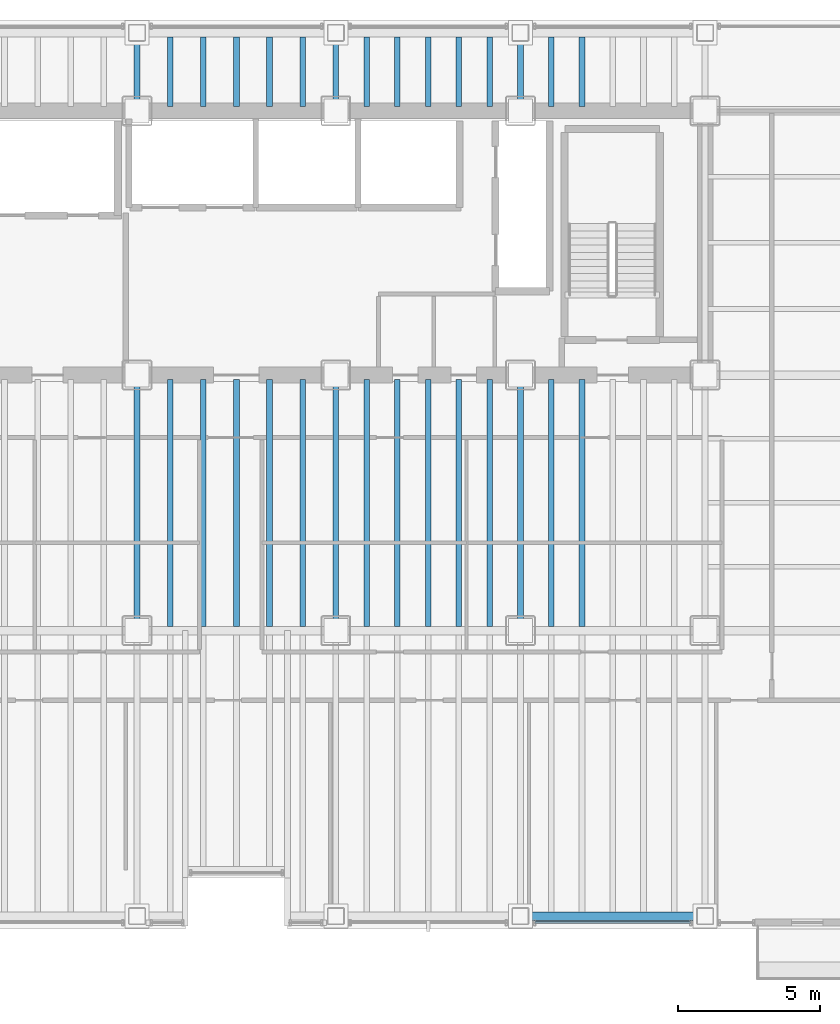
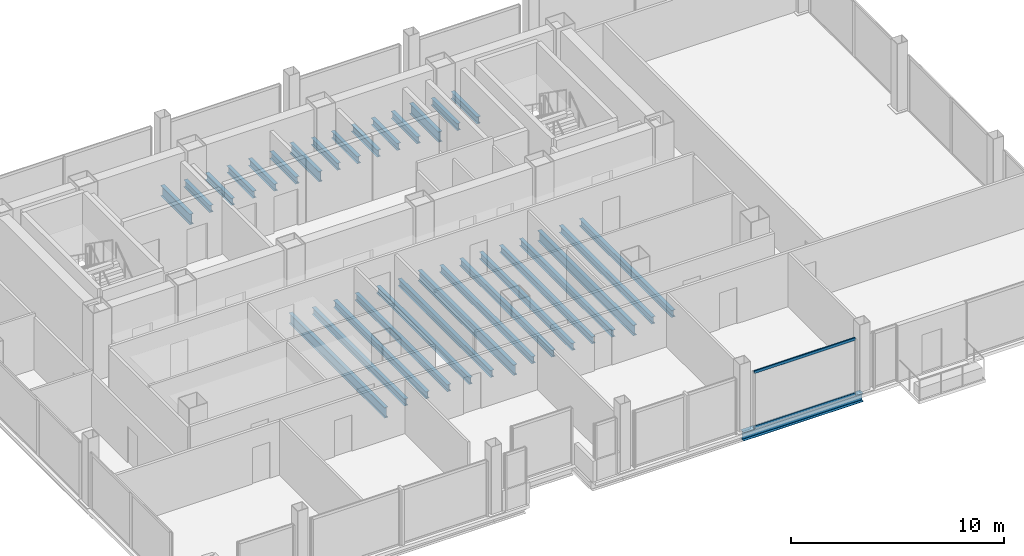
# One storey, part 8 of 22: 31 beams, 2 members, 1 element without a shape of its own.
"""IFC4 building model written with IfcOpenShell, lengths in metres."""

from ifc_helpers import new_model, si_unit, direction, frame, origin, origin_2d, place, context, subcontext, project, spatial, hollow_rectangle, i_section, extrude, material, material_profile, profile_set, type_object, element, aggregate, save


model = new_model("IFC4")

# Units and contexts
model_context = context("Model", 3, precision=1e-05, world=origin(), true_north=direction((0.0, 1.0)))
body_context = subcontext(model_context, "Body", "Model", "MODEL_VIEW")
ifc_project = project(units=[si_unit("LENGTHUNIT", "METRE"), si_unit("AREAUNIT", "SQUARE_METRE"), si_unit("VOLUMEUNIT", "CUBIC_METRE"), si_unit("PLANEANGLEUNIT", "RADIAN"), si_unit("MASSUNIT", "GRAM", prefix="KILO")], contexts=[model_context])

# Site, building, storey
site_placement = place(None, origin())
site = spatial("IfcSite", under=ifc_project, at=site_placement, CompositionType="ELEMENT")
building_placement = place(site_placement, origin())
building = spatial("IfcBuilding", under=site, at=building_placement, Name="Noeulbin Bourse Tower", CompositionType="ELEMENT")
storey_placement = place(building_placement, frame((0.0, 0.0, 85.0)))
storey = spatial("IfcBuildingStorey", under=building, at=storey_placement, Name="L21", CompositionType="ELEMENT", Elevation=85.0)

# Beams
ifc_material_1 = material(Name="Steel S355", Category="steel")
ifc_material_profile_1 = material_profile(ifc_material_1, i_section(OverallWidth=0.199951171875, OverallDepth=0.60009765625, WebThickness=0.010986328125, FlangeThickness=0.01708984375, FilletRadius=0.02197265625, at=origin_2d()), Name="H-600x200x11x17", Category="LoadBearing")
ifc_profile_set_1 = profile_set([ifc_material_profile_1], Name="Steel S355")
beam_type_1 = type_object("IfcBeamType", Name="BM-GRD-600", PredefinedType="USERDEFINED", material=ifc_profile_set_1)
beam_1_placement = place(storey_placement, frame((24.0, 20.0, -0.47998046875), z_axis=(0.0, 1.0, 0.0), x_axis=(-1.0, 0.0, 0.0)))
element("IfcBeam", 1, at=beam_1_placement, inside=storey, type_object=beam_type_1, Name="Tower Primary Girder NS L21-2.2", ObjectType="GIRDER", PredefinedType="USERDEFINED", context=body_context, shape_type="SweptSolid", body=[
    extrude(i_section(OverallWidth=0.199951171875, OverallDepth=0.60009765625, WebThickness=0.010986328125, FlangeThickness=0.01708984375, FilletRadius=0.02197265625, at=origin_2d()), origin(), (0.0, 0.0, 1.0), 9.0),
])
beam_2_placement = place(storey_placement, frame((24.0, 38.300048828125, -0.47998046875), z_axis=(0.0, 1.0, 0.0), x_axis=(-1.0, 0.0, 0.0)))
element("IfcBeam", 2, at=beam_2_placement, inside=storey, type_object=beam_type_1, Name="Tower Primary Girder NS L21-2.4", ObjectType="GIRDER", PredefinedType="USERDEFINED", context=body_context, shape_type="SweptSolid", body=[
    extrude(i_section(OverallWidth=0.199951171875, OverallDepth=0.60009765625, WebThickness=0.010986328125, FlangeThickness=0.01708984375, FilletRadius=0.02197265625, at=origin_2d()), origin(), (0.0, 0.0, 1.0), 2.75),
])
beam_3_placement = place(storey_placement, frame((31.0, 20.0, -0.47998046875), z_axis=(0.0, 1.0, 0.0), x_axis=(-1.0, 0.0, 0.0)))
element("IfcBeam", 3, at=beam_3_placement, inside=storey, type_object=beam_type_1, Name="Tower Primary Girder NS L21-3.2", ObjectType="GIRDER", PredefinedType="USERDEFINED", context=body_context, shape_type="SweptSolid", body=[
    extrude(i_section(OverallWidth=0.199951171875, OverallDepth=0.60009765625, WebThickness=0.010986328125, FlangeThickness=0.01708984375, FilletRadius=0.02197265625, at=origin_2d()), origin(), (0.0, 0.0, 1.0), 9.0),
])
beam_4_placement = place(storey_placement, frame((31.0, 38.300048828125, -0.47998046875), z_axis=(0.0, 1.0, 0.0), x_axis=(-1.0, 0.0, 0.0)))
element("IfcBeam", 4, at=beam_4_placement, inside=storey, type_object=beam_type_1, Name="Tower Primary Girder NS L21-3.4", ObjectType="GIRDER", PredefinedType="USERDEFINED", context=body_context, shape_type="SweptSolid", body=[
    extrude(i_section(OverallWidth=0.199951171875, OverallDepth=0.60009765625, WebThickness=0.010986328125, FlangeThickness=0.01708984375, FilletRadius=0.02197265625, at=origin_2d()), origin(), (0.0, 0.0, 1.0), 2.75),
])
beam_5_placement = place(storey_placement, frame((37.5, 20.0, -0.47998046875), z_axis=(0.0, 1.0, 0.0), x_axis=(-1.0, 0.0, 0.0)))
element("IfcBeam", 5, at=beam_5_placement, inside=storey, type_object=beam_type_1, Name="Tower Primary Girder NS L21-4.2", ObjectType="GIRDER", PredefinedType="USERDEFINED", context=body_context, shape_type="SweptSolid", body=[
    extrude(i_section(OverallWidth=0.199951171875, OverallDepth=0.60009765625, WebThickness=0.010986328125, FlangeThickness=0.01708984375, FilletRadius=0.02197265625, at=origin_2d()), origin(), (0.0, 0.0, 1.0), 9.0),
])
beam_6_placement = place(storey_placement, frame((37.5, 38.300048828125, -0.47998046875), z_axis=(0.0, 1.0, 0.0), x_axis=(-1.0, 0.0, 0.0)))
element("IfcBeam", 6, at=beam_6_placement, inside=storey, type_object=beam_type_1, Name="Tower Primary Girder NS L21-4.4", ObjectType="GIRDER", PredefinedType="USERDEFINED", context=body_context, shape_type="SweptSolid", body=[
    extrude(i_section(OverallWidth=0.199951171875, OverallDepth=0.60009765625, WebThickness=0.010986328125, FlangeThickness=0.01708984375, FilletRadius=0.02197265625, at=origin_2d()), origin(), (0.0, 0.0, 1.0), 2.75),
])
ifc_material_profile_2 = material_profile(ifc_material_1, i_section(OverallWidth=0.199951171875, OverallDepth=0.39990234375, WebThickness=0.008056640625, FlangeThickness=0.012939453125, FilletRadius=0.01611328125, at=origin_2d()), Name="H-400x200x8x13", Category="LoadBearing")
ifc_profile_set_2 = profile_set([ifc_material_profile_2], Name="Steel S355")
beam_type_2 = type_object("IfcBeamType", Name="BM-SEC-400", PredefinedType="BEAM", material=ifc_profile_set_2)
beam_7_placement = place(storey_placement, frame((25.166748046875, 20.14990234375, -0.3798828125), z_axis=(0.0, 1.0, 0.0), x_axis=(-1.0, 0.0, 0.0)))
element("IfcBeam", 7, at=beam_7_placement, inside=storey, type_object=beam_type_2, Name="Tower Composite Joist L21-26", PredefinedType="BEAM", context=body_context, shape_type="SweptSolid", body=[
    extrude(i_section(OverallWidth=0.199951171875, OverallDepth=0.39990234375, WebThickness=0.008056640625, FlangeThickness=0.012939453125, FilletRadius=0.01611328125, at=origin_2d()), origin(), (0.0, 0.0, 1.0), 8.7001953125),
])
beam_8_placement = place(storey_placement, frame((25.166748046875, 38.449951171875, -0.3798828125), z_axis=(0.0, 1.0, 0.0), x_axis=(-1.0, 0.0, 0.0)))
element("IfcBeam", 8, at=beam_8_placement, inside=storey, type_object=beam_type_2, Name="Tower Composite Joist L21-27", PredefinedType="BEAM", context=body_context, shape_type="SweptSolid", body=[
    extrude(i_section(OverallWidth=0.199951171875, OverallDepth=0.39990234375, WebThickness=0.008056640625, FlangeThickness=0.012939453125, FilletRadius=0.01611328125, at=origin_2d()), origin(), (0.0, 0.0, 1.0), 2.449951171875),
])
beam_9_placement = place(storey_placement, frame((26.333251953125, 20.14990234375, -0.3798828125), z_axis=(0.0, 1.0, 0.0), x_axis=(-1.0, 0.0, 0.0)))
element("IfcBeam", 9, at=beam_9_placement, inside=storey, type_object=beam_type_2, Name="Tower Composite Joist L21-29", PredefinedType="BEAM", context=body_context, shape_type="SweptSolid", body=[
    extrude(i_section(OverallWidth=0.199951171875, OverallDepth=0.39990234375, WebThickness=0.008056640625, FlangeThickness=0.012939453125, FilletRadius=0.01611328125, at=origin_2d()), origin(), (0.0, 0.0, 1.0), 8.7001953125),
])
beam_10_placement = place(storey_placement, frame((26.333251953125, 38.449951171875, -0.3798828125), z_axis=(0.0, 1.0, 0.0), x_axis=(-1.0, 0.0, 0.0)))
element("IfcBeam", 10, at=beam_10_placement, inside=storey, type_object=beam_type_2, Name="Tower Composite Joist L21-30", PredefinedType="BEAM", context=body_context, shape_type="SweptSolid", body=[
    extrude(i_section(OverallWidth=0.199951171875, OverallDepth=0.39990234375, WebThickness=0.008056640625, FlangeThickness=0.012939453125, FilletRadius=0.01611328125, at=origin_2d()), origin(), (0.0, 0.0, 1.0), 2.449951171875),
])
beam_11_placement = place(storey_placement, frame((27.5, 20.14990234375, -0.3798828125), z_axis=(0.0, 1.0, 0.0), x_axis=(-1.0, 0.0, 0.0)))
element("IfcBeam", 11, at=beam_11_placement, inside=storey, type_object=beam_type_2, Name="Tower Composite Joist L21-32", PredefinedType="BEAM", context=body_context, shape_type="SweptSolid", body=[
    extrude(i_section(OverallWidth=0.199951171875, OverallDepth=0.39990234375, WebThickness=0.008056640625, FlangeThickness=0.012939453125, FilletRadius=0.01611328125, at=origin_2d()), origin(), (0.0, 0.0, 1.0), 8.7001953125),
])
beam_12_placement = place(storey_placement, frame((27.5, 38.449951171875, -0.3798828125), z_axis=(0.0, 1.0, 0.0), x_axis=(-1.0, 0.0, 0.0)))
element("IfcBeam", 12, at=beam_12_placement, inside=storey, type_object=beam_type_2, Name="Tower Composite Joist L21-33", PredefinedType="BEAM", context=body_context, shape_type="SweptSolid", body=[
    extrude(i_section(OverallWidth=0.199951171875, OverallDepth=0.39990234375, WebThickness=0.008056640625, FlangeThickness=0.012939453125, FilletRadius=0.01611328125, at=origin_2d()), origin(), (0.0, 0.0, 1.0), 2.449951171875),
])
beam_13_placement = place(storey_placement, frame((28.666748046875, 20.14990234375, -0.3798828125), z_axis=(0.0, 1.0, 0.0), x_axis=(-1.0, 0.0, 0.0)))
element("IfcBeam", 13, at=beam_13_placement, inside=storey, type_object=beam_type_2, Name="Tower Composite Joist L21-35", PredefinedType="BEAM", context=body_context, shape_type="SweptSolid", body=[
    extrude(i_section(OverallWidth=0.199951171875, OverallDepth=0.39990234375, WebThickness=0.008056640625, FlangeThickness=0.012939453125, FilletRadius=0.01611328125, at=origin_2d()), origin(), (0.0, 0.0, 1.0), 8.7001953125),
])
beam_14_placement = place(storey_placement, frame((28.666748046875, 38.449951171875, -0.3798828125), z_axis=(0.0, 1.0, 0.0), x_axis=(-1.0, 0.0, 0.0)))
element("IfcBeam", 14, at=beam_14_placement, inside=storey, type_object=beam_type_2, Name="Tower Composite Joist L21-36", PredefinedType="BEAM", context=body_context, shape_type="SweptSolid", body=[
    extrude(i_section(OverallWidth=0.199951171875, OverallDepth=0.39990234375, WebThickness=0.008056640625, FlangeThickness=0.012939453125, FilletRadius=0.01611328125, at=origin_2d()), origin(), (0.0, 0.0, 1.0), 2.449951171875),
])
beam_15_placement = place(storey_placement, frame((29.833251953125, 20.14990234375, -0.3798828125), z_axis=(0.0, 1.0, 0.0), x_axis=(-1.0, 0.0, 0.0)))
element("IfcBeam", 15, at=beam_15_placement, inside=storey, type_object=beam_type_2, Name="Tower Composite Joist L21-38", PredefinedType="BEAM", context=body_context, shape_type="SweptSolid", body=[
    extrude(i_section(OverallWidth=0.199951171875, OverallDepth=0.39990234375, WebThickness=0.008056640625, FlangeThickness=0.012939453125, FilletRadius=0.01611328125, at=origin_2d()), origin(), (0.0, 0.0, 1.0), 8.7001953125),
])
beam_16_placement = place(storey_placement, frame((29.833251953125, 38.449951171875, -0.3798828125), z_axis=(0.0, 1.0, 0.0), x_axis=(-1.0, 0.0, 0.0)))
element("IfcBeam", 16, at=beam_16_placement, inside=storey, type_object=beam_type_2, Name="Tower Composite Joist L21-39", PredefinedType="BEAM", context=body_context, shape_type="SweptSolid", body=[
    extrude(i_section(OverallWidth=0.199951171875, OverallDepth=0.39990234375, WebThickness=0.008056640625, FlangeThickness=0.012939453125, FilletRadius=0.01611328125, at=origin_2d()), origin(), (0.0, 0.0, 1.0), 2.449951171875),
])
beam_17_placement = place(storey_placement, frame((32.083251953125, 20.14990234375, -0.3798828125), z_axis=(0.0, 1.0, 0.0), x_axis=(-1.0, 0.0, 0.0)))
element("IfcBeam", 17, at=beam_17_placement, inside=storey, type_object=beam_type_2, Name="Tower Composite Joist L21-41", PredefinedType="BEAM", context=body_context, shape_type="SweptSolid", body=[
    extrude(i_section(OverallWidth=0.199951171875, OverallDepth=0.39990234375, WebThickness=0.008056640625, FlangeThickness=0.012939453125, FilletRadius=0.01611328125, at=origin_2d()), origin(), (0.0, 0.0, 1.0), 8.7001953125),
])
beam_18_placement = place(storey_placement, frame((32.083251953125, 38.449951171875, -0.3798828125), z_axis=(0.0, 1.0, 0.0), x_axis=(-1.0, 0.0, 0.0)))
element("IfcBeam", 18, at=beam_18_placement, inside=storey, type_object=beam_type_2, Name="Tower Composite Joist L21-42", PredefinedType="BEAM", context=body_context, shape_type="SweptSolid", body=[
    extrude(i_section(OverallWidth=0.199951171875, OverallDepth=0.39990234375, WebThickness=0.008056640625, FlangeThickness=0.012939453125, FilletRadius=0.01611328125, at=origin_2d()), origin(), (0.0, 0.0, 1.0), 2.449951171875),
])
beam_19_placement = place(storey_placement, frame((33.166748046875, 20.14990234375, -0.3798828125), z_axis=(0.0, 1.0, 0.0), x_axis=(-1.0, 0.0, 0.0)))
element("IfcBeam", 19, at=beam_19_placement, inside=storey, type_object=beam_type_2, Name="Tower Composite Joist L21-44", PredefinedType="BEAM", context=body_context, shape_type="SweptSolid", body=[
    extrude(i_section(OverallWidth=0.199951171875, OverallDepth=0.39990234375, WebThickness=0.008056640625, FlangeThickness=0.012939453125, FilletRadius=0.01611328125, at=origin_2d()), origin(), (0.0, 0.0, 1.0), 8.7001953125),
])
beam_20_placement = place(storey_placement, frame((33.166748046875, 38.449951171875, -0.3798828125), z_axis=(0.0, 1.0, 0.0), x_axis=(-1.0, 0.0, 0.0)))
element("IfcBeam", 20, at=beam_20_placement, inside=storey, type_object=beam_type_2, Name="Tower Composite Joist L21-45", PredefinedType="BEAM", context=body_context, shape_type="SweptSolid", body=[
    extrude(i_section(OverallWidth=0.199951171875, OverallDepth=0.39990234375, WebThickness=0.008056640625, FlangeThickness=0.012939453125, FilletRadius=0.01611328125, at=origin_2d()), origin(), (0.0, 0.0, 1.0), 2.449951171875),
])
beam_21_placement = place(storey_placement, frame((34.25, 20.14990234375, -0.3798828125), z_axis=(0.0, 1.0, 0.0), x_axis=(-1.0, 0.0, 0.0)))
element("IfcBeam", 21, at=beam_21_placement, inside=storey, type_object=beam_type_2, Name="Tower Composite Joist L21-47", PredefinedType="BEAM", context=body_context, shape_type="SweptSolid", body=[
    extrude(i_section(OverallWidth=0.199951171875, OverallDepth=0.39990234375, WebThickness=0.008056640625, FlangeThickness=0.012939453125, FilletRadius=0.01611328125, at=origin_2d()), origin(), (0.0, 0.0, 1.0), 8.7001953125),
])
beam_22_placement = place(storey_placement, frame((34.25, 38.449951171875, -0.3798828125), z_axis=(0.0, 1.0, 0.0), x_axis=(-1.0, 0.0, 0.0)))
element("IfcBeam", 22, at=beam_22_placement, inside=storey, type_object=beam_type_2, Name="Tower Composite Joist L21-48", PredefinedType="BEAM", context=body_context, shape_type="SweptSolid", body=[
    extrude(i_section(OverallWidth=0.199951171875, OverallDepth=0.39990234375, WebThickness=0.008056640625, FlangeThickness=0.012939453125, FilletRadius=0.01611328125, at=origin_2d()), origin(), (0.0, 0.0, 1.0), 2.449951171875),
])
beam_23_placement = place(storey_placement, frame((35.333251953125, 20.14990234375, -0.3798828125), z_axis=(0.0, 1.0, 0.0), x_axis=(-1.0, 0.0, 0.0)))
element("IfcBeam", 23, at=beam_23_placement, inside=storey, type_object=beam_type_2, Name="Tower Composite Joist L21-50", PredefinedType="BEAM", context=body_context, shape_type="SweptSolid", body=[
    extrude(i_section(OverallWidth=0.199951171875, OverallDepth=0.39990234375, WebThickness=0.008056640625, FlangeThickness=0.012939453125, FilletRadius=0.01611328125, at=origin_2d()), origin(), (0.0, 0.0, 1.0), 8.7001953125),
])
beam_24_placement = place(storey_placement, frame((35.333251953125, 38.449951171875, -0.3798828125), z_axis=(0.0, 1.0, 0.0), x_axis=(-1.0, 0.0, 0.0)))
element("IfcBeam", 24, at=beam_24_placement, inside=storey, type_object=beam_type_2, Name="Tower Composite Joist L21-51", PredefinedType="BEAM", context=body_context, shape_type="SweptSolid", body=[
    extrude(i_section(OverallWidth=0.199951171875, OverallDepth=0.39990234375, WebThickness=0.008056640625, FlangeThickness=0.012939453125, FilletRadius=0.01611328125, at=origin_2d()), origin(), (0.0, 0.0, 1.0), 2.449951171875),
])
beam_25_placement = place(storey_placement, frame((36.416748046875, 20.14990234375, -0.3798828125), z_axis=(0.0, 1.0, 0.0), x_axis=(-1.0, 0.0, 0.0)))
element("IfcBeam", 25, at=beam_25_placement, inside=storey, type_object=beam_type_2, Name="Tower Composite Joist L21-53", PredefinedType="BEAM", context=body_context, shape_type="SweptSolid", body=[
    extrude(i_section(OverallWidth=0.199951171875, OverallDepth=0.39990234375, WebThickness=0.008056640625, FlangeThickness=0.012939453125, FilletRadius=0.01611328125, at=origin_2d()), origin(), (0.0, 0.0, 1.0), 8.7001953125),
])
beam_26_placement = place(storey_placement, frame((36.416748046875, 38.449951171875, -0.3798828125), z_axis=(0.0, 1.0, 0.0), x_axis=(-1.0, 0.0, 0.0)))
element("IfcBeam", 26, at=beam_26_placement, inside=storey, type_object=beam_type_2, Name="Tower Composite Joist L21-54", PredefinedType="BEAM", context=body_context, shape_type="SweptSolid", body=[
    extrude(i_section(OverallWidth=0.199951171875, OverallDepth=0.39990234375, WebThickness=0.008056640625, FlangeThickness=0.012939453125, FilletRadius=0.01611328125, at=origin_2d()), origin(), (0.0, 0.0, 1.0), 2.449951171875),
])
beam_27_placement = place(storey_placement, frame((38.583251953125, 20.14990234375, -0.3798828125), z_axis=(0.0, 1.0, 0.0), x_axis=(-1.0, 0.0, 0.0)))
element("IfcBeam", 27, at=beam_27_placement, inside=storey, type_object=beam_type_2, Name="Tower Composite Joist L21-56", PredefinedType="BEAM", context=body_context, shape_type="SweptSolid", body=[
    extrude(i_section(OverallWidth=0.199951171875, OverallDepth=0.39990234375, WebThickness=0.008056640625, FlangeThickness=0.012939453125, FilletRadius=0.01611328125, at=origin_2d()), origin(), (0.0, 0.0, 1.0), 8.7001953125),
])
beam_28_placement = place(storey_placement, frame((38.583251953125, 38.449951171875, -0.3798828125), z_axis=(0.0, 1.0, 0.0), x_axis=(-1.0, 0.0, 0.0)))
element("IfcBeam", 28, at=beam_28_placement, inside=storey, type_object=beam_type_2, Name="Tower Composite Joist L21-57", PredefinedType="BEAM", context=body_context, shape_type="SweptSolid", body=[
    extrude(i_section(OverallWidth=0.199951171875, OverallDepth=0.39990234375, WebThickness=0.008056640625, FlangeThickness=0.012939453125, FilletRadius=0.01611328125, at=origin_2d()), origin(), (0.0, 0.0, 1.0), 2.449951171875),
])
beam_29_placement = place(storey_placement, frame((39.666748046875, 20.14990234375, -0.3798828125), z_axis=(0.0, 1.0, 0.0), x_axis=(-1.0, 0.0, 0.0)))
element("IfcBeam", 29, at=beam_29_placement, inside=storey, type_object=beam_type_2, Name="Tower Composite Joist L21-59", PredefinedType="BEAM", context=body_context, shape_type="SweptSolid", body=[
    extrude(i_section(OverallWidth=0.199951171875, OverallDepth=0.39990234375, WebThickness=0.008056640625, FlangeThickness=0.012939453125, FilletRadius=0.01611328125, at=origin_2d()), origin(), (0.0, 0.0, 1.0), 8.7001953125),
])
beam_30_placement = place(storey_placement, frame((39.666748046875, 38.449951171875, -0.3798828125), z_axis=(0.0, 1.0, 0.0), x_axis=(-1.0, 0.0, 0.0)))
element("IfcBeam", 30, at=beam_30_placement, inside=storey, type_object=beam_type_2, Name="Tower Composite Joist L21-60", PredefinedType="BEAM", context=body_context, shape_type="SweptSolid", body=[
    extrude(i_section(OverallWidth=0.199951171875, OverallDepth=0.39990234375, WebThickness=0.008056640625, FlangeThickness=0.012939453125, FilletRadius=0.01611328125, at=origin_2d()), origin(), (0.0, 0.0, 1.0), 2.449951171875),
])
ifc_material_profile_3 = material_profile(ifc_material_1, i_section(OverallWidth=0.300048828125, OverallDepth=0.488037109375, WebThickness=0.010986328125, FlangeThickness=0.01806640625, FilletRadius=0.02197265625, at=origin_2d()), Name="H-488x300x11x18", Category="LoadBearing")
ifc_profile_set_3 = profile_set([ifc_material_profile_3], Name="Steel S355")
beam_type_3 = type_object("IfcBeamType", Name="BM-SPN-488", PredefinedType="SPANDREL", material=ifc_profile_set_3)
beam_31_placement = place(storey_placement, frame((37.5, 9.949951171875, -0.424072265625), z_axis=(1.0, 0.0, 0.0), x_axis=(0.0, 1.0, 0.0)))
element("IfcBeam", 31, at=beam_31_placement, inside=storey, type_object=beam_type_3, Name="South Spandrel L21-4", PredefinedType="SPANDREL", context=body_context, shape_type="SweptSolid", body=[
    extrude(i_section(OverallWidth=0.300048828125, OverallDepth=0.488037109375, WebThickness=0.010986328125, FlangeThickness=0.01806640625, FilletRadius=0.02197265625, at=origin_2d()), origin(), (0.0, 0.0, 1.0), 6.5),
])

# Curtain wall, members
ifc_material_2 = material(Name="Dark Solar-Control Double Glazing", Category="glass")
curtain_wall_type = type_object("IfcCurtainWallType", Name="CW-SYS-2", PredefinedType="NOTDEFINED", material=ifc_material_2)
curtain_wall_placement = place(storey_placement, origin())
curtain_wall = element("IfcCurtainWall", 32, at=curtain_wall_placement, inside=storey, type_object=curtain_wall_type, Name="Unitised Curtain Wall CW-L21-S2-S3", PredefinedType="NOTDEFINED")
ifc_material_3 = material(Name="Anodised Aluminium 6063-T6", Category="aluminium")
ifc_material_profile_4 = material_profile(ifc_material_3, hollow_rectangle(XDim=0.074951171875, YDim=0.159912109375, WallThickness=0.0048828125, InnerFilletRadius=0.00244140625, OuterFilletRadius=0.0048828125, at=origin_2d()), Name="ALU-TRAN-75x160x5", Category="LoadBearing")
ifc_profile_set_4 = profile_set([ifc_material_profile_4], Name="Anodised Aluminium 6063-T6")
member_type = type_object("IfcMemberType", Name="CW-SYS-2-TRN", PredefinedType="USERDEFINED", material=ifc_profile_set_4)
member_1_placement = place(storey_placement, frame((38.010009765625, 9.719970703125, 0.010009765625), z_axis=(1.0, 0.0, 0.0), x_axis=(0.0, 1.0, 0.0)))
member_1 = element("IfcMember", 33, at=member_1_placement, type_object=member_type, Name="Curtain Wall Transom CW-L21-S2-S3-T00", ObjectType="TRANSOM", PredefinedType="USERDEFINED", context=body_context, shape_type="SweptSolid", body=[
    extrude(hollow_rectangle(XDim=0.074951171875, YDim=0.159912109375, WallThickness=0.0048828125, InnerFilletRadius=0.00244140625, OuterFilletRadius=0.0048828125, at=origin_2d()), origin(), (0.0, 0.0, 1.0), 5.47998046875),
])
member_2_placement = place(storey_placement, frame((38.010009765625, 9.719970703125, 3.169921875), z_axis=(1.0, 0.0, 0.0), x_axis=(0.0, 1.0, 0.0)))
member_2 = element("IfcMember", 34, at=member_2_placement, type_object=member_type, Name="Curtain Wall Transom CW-L21-S2-S3-T01", ObjectType="TRANSOM", PredefinedType="USERDEFINED", context=body_context, shape_type="SweptSolid", body=[
    extrude(hollow_rectangle(XDim=0.074951171875, YDim=0.159912109375, WallThickness=0.0048828125, InnerFilletRadius=0.00244140625, OuterFilletRadius=0.0048828125, at=origin_2d()), origin(), (0.0, 0.0, 1.0), 5.47998046875),
])
aggregate(curtain_wall, [member_1, member_2])

save(model, "model.ifc")
